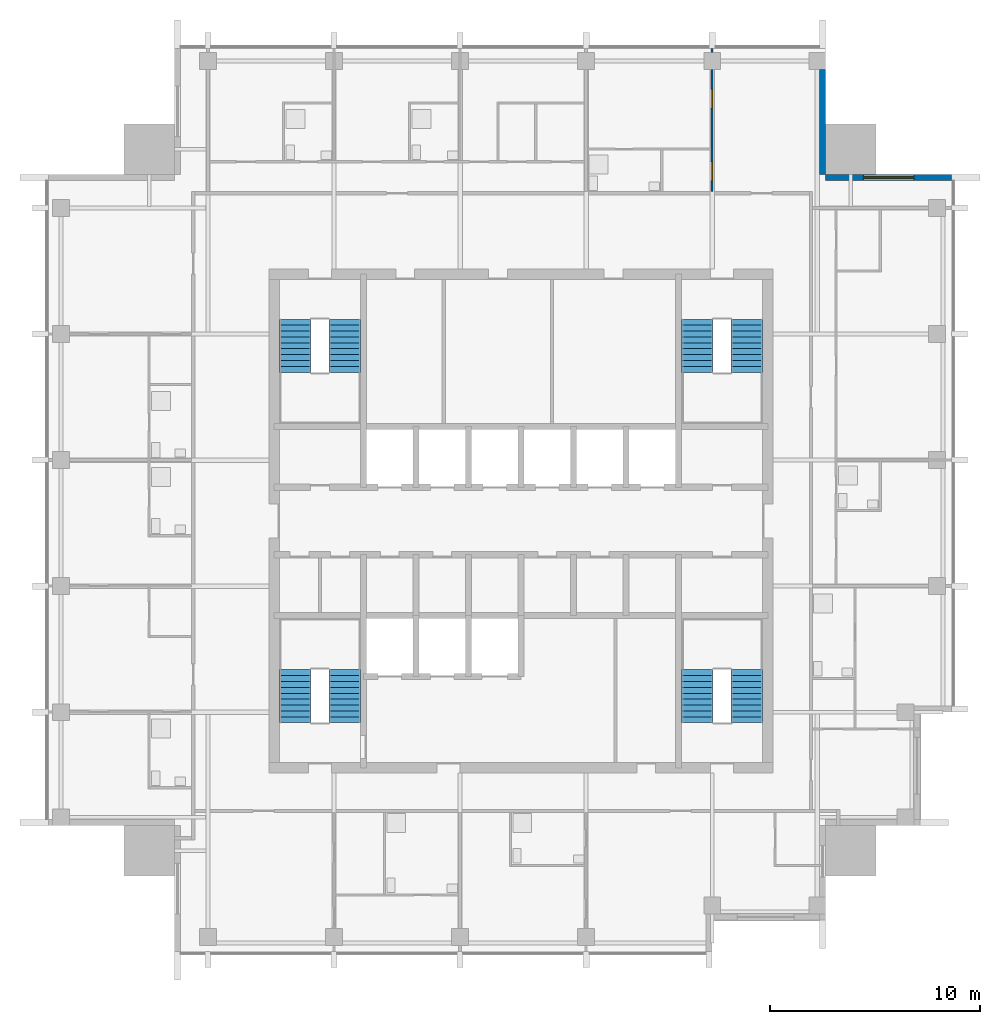
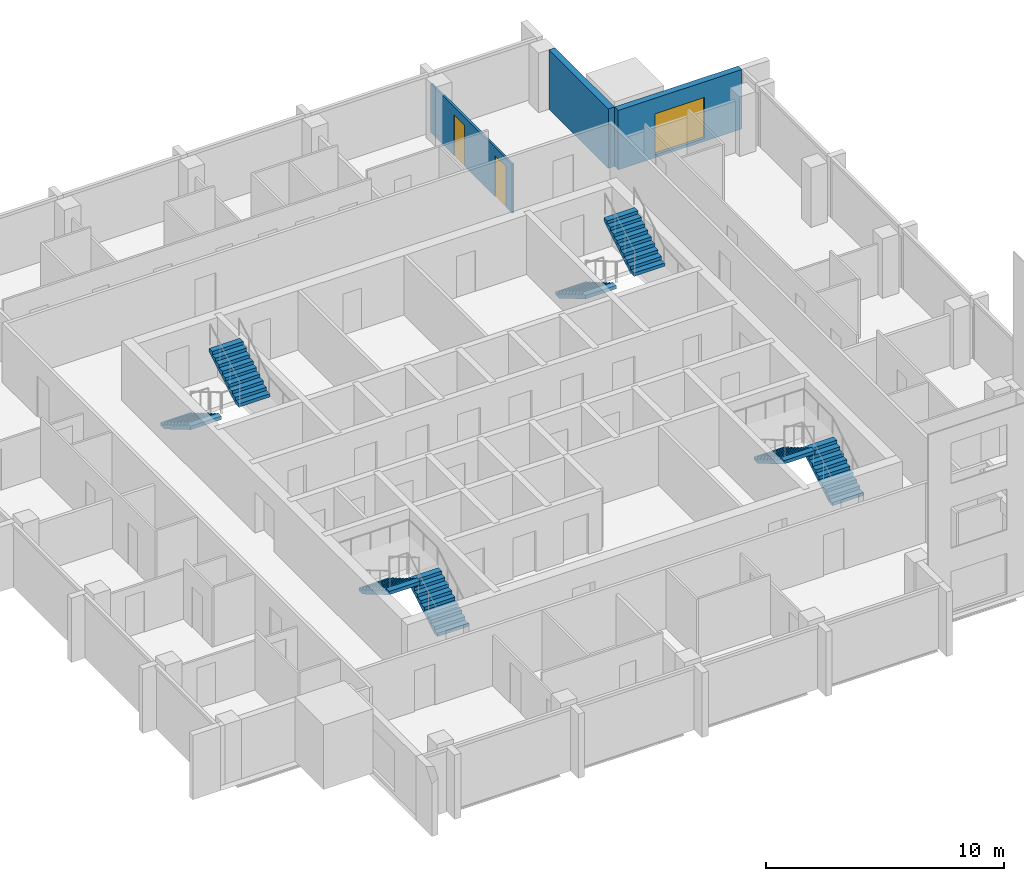
# One storey, part 7 of 9: 8 stair flights, 3 walls, 2 doors, 1 window, 3 openings, 4 elements without a shape of their own.
"""IFC4 building model written with IfcOpenShell, lengths in metres."""

import ifcopenshell
import ifcopenshell.guid

model = None  # the IFC model being written
_history = None  # IfcOwnerHistory: only IFC2X3 demands one
_inside = {}  # id of a spatial element -> (the spatial element, [elements in it])
_under = {}  # id of a project, library or spatial element -> (it, [spatial elements below it])
_declared = {}  # id of a project -> (the project, [libraries it declares])
_typed = {}  # id of a type object -> (the type object, [elements of that type])
_made_of = {}  # id of a material, layer set ... -> (it, [elements and type objects made of it])


def new_model(schema):
    """Start an empty IFC model of exactly this schema.

    Asked for "IFC4X3", IfcOpenShell would pick the latest addendum, in which some entities
    have other attributes; the version numbers below select the first issue.
    IFC2X3 requires an IfcOwnerHistory on every rooted entity: one is made here for all.
    """
    global model, _history
    if schema == "IFC4X3":
        model = ifcopenshell.file(schema_version=(4, 3, 0, 0))
    else:
        model = ifcopenshell.file(schema=schema)
    _inside.clear()
    _under.clear()
    _declared.clear()
    _typed.clear()
    _made_of.clear()
    _history = None
    if model.schema == "IFC2X3":
        org = make("IfcOrganization", Name="unknown")
        user = make(
            "IfcPersonAndOrganization",
            ThePerson=make("IfcPerson", FamilyName="unknown"),
            TheOrganization=org,
        )
        app = make(
            "IfcApplication",
            ApplicationDeveloper=org,
            Version="unknown",
            ApplicationFullName="unknown",
            ApplicationIdentifier="unknown",
        )
        _history = make(
            "IfcOwnerHistory",
            OwningUser=user,
            OwningApplication=app,
            ChangeAction="ADDED",
            CreationDate=0,
        )
    return model


def make(cls, **values):
    """One entity of the class cls with the attributes given. An attribute that is None is left unset."""
    return model.create_entity(
        cls, **{name: value for name, value in values.items() if value is not None}
    )


def rooted(cls, **values):
    """An entity with a GlobalId (a new one), such as an element, a storey or a relation."""
    return make(cls, GlobalId=ifcopenshell.guid.new(), OwnerHistory=_history, **values)


def si_unit(unit_type, name, prefix=None):
    """IfcSIUnit, for example si_unit("LENGTHUNIT", "METRE", prefix="MILLI")."""
    return make("IfcSIUnit", UnitType=unit_type, Prefix=prefix, Name=name)


def assignment(units):
    """IfcUnitAssignment: the units of a project."""
    return None if units is None else make("IfcUnitAssignment", Units=units)


def point(xyz):
    """IfcCartesianPoint."""
    return None if xyz is None else make("IfcCartesianPoint", Coordinates=xyz)


def direction(xyz):
    """IfcDirection."""
    return None if xyz is None else make("IfcDirection", DirectionRatios=xyz)


def frame(location, z_axis=None, x_axis=None):
    """IfcAxis2Placement3D, a coordinate frame: its origin and axes. An axis left out is left unset."""
    return make(
        "IfcAxis2Placement3D",
        Location=point(location),
        Axis=direction(z_axis),
        RefDirection=direction(x_axis),
    )


def frame_2d(location, x_axis=None):
    """IfcAxis2Placement2D, a coordinate frame in the plane: its origin and x axis."""
    return make(
        "IfcAxis2Placement2D", Location=point(location), RefDirection=direction(x_axis)
    )


def origin():
    """The frame at (0, 0, 0) with its axes left unset."""
    return frame((0.0, 0.0, 0.0))


def place(relative_to, where):
    """IfcLocalPlacement: puts the frame where relative to a parent placement (None: the world)."""
    return make(
        "IfcLocalPlacement", PlacementRelTo=relative_to, RelativePlacement=where
    )


def context(
    kind, dimensions, precision=None, world=None, true_north=None, identifier=None
):
    """IfcGeometricRepresentationContext, for example the 3D "Model" context."""
    return make(
        "IfcGeometricRepresentationContext",
        ContextIdentifier=identifier,
        ContextType=kind,
        CoordinateSpaceDimension=dimensions,
        Precision=precision,
        WorldCoordinateSystem=world,
        TrueNorth=true_north,
    )


def subcontext(parent, identifier, kind, view, scale=None):
    """IfcGeometricRepresentationSubContext, for example "Body" below "Model"."""
    return make(
        "IfcGeometricRepresentationSubContext",
        ContextIdentifier=identifier,
        ContextType=kind,
        ParentContext=parent,
        TargetScale=scale,
        TargetView=view,
    )


def project(units=None, contexts=None):
    """IfcProject with its units and contexts."""
    return rooted(
        "IfcProject",
        Name="project",
        RepresentationContexts=contexts,
        UnitsInContext=assignment(units),
    )


def spatial(cls, under=None, at=None, **own):
    """A site, building, storey or space (cls), placed at a placement, below another one or the project."""
    s = rooted(cls, ObjectPlacement=at, **own)
    if under is not None:
        _under.setdefault(under.id(), (under, []))[1].append(s)
    return s


def polyline(points):
    """IfcPolyline through the points."""
    return make("IfcPolyline", Points=[point(p) for p in points])


def profile(cls, at=None, kind="AREA", **sizes):
    """A parametric profile (cls). Its sizes go by their IFC names, for example OverallWidth=200.0."""
    return make(cls, ProfileType=kind, Position=at, **sizes)


def rectangle(**sizes):
    """IfcRectangleProfileDef."""
    return profile("IfcRectangleProfileDef", **sizes)


def outline(outer, holes=None, kind="AREA"):
    """IfcArbitraryClosedProfileDef: a profile drawn as a closed curve; with holes, ...WithVoids."""
    if holes is None:
        return make("IfcArbitraryClosedProfileDef", ProfileType=kind, OuterCurve=outer)
    return make(
        "IfcArbitraryProfileDefWithVoids",
        ProfileType=kind,
        OuterCurve=outer,
        InnerCurves=holes,
    )


def extrude(swept, where, along, depth):
    """IfcExtrudedAreaSolid: the profile swept, set in the frame where, extruded along a direction by depth."""
    return make(
        "IfcExtrudedAreaSolid",
        SweptArea=swept,
        Position=where,
        ExtrudedDirection=direction(along),
        Depth=depth,
    )


def shape(context_of_items, identifier, shape_type, items):
    """IfcShapeRepresentation: the items that make up one representation, for example the "Body"."""
    return make(
        "IfcShapeRepresentation",
        ContextOfItems=context_of_items,
        RepresentationIdentifier=identifier,
        RepresentationType=shape_type,
        Items=items,
    )


def material(Name=None, Category=None):
    """IfcMaterial."""
    return make("IfcMaterial", Name=Name, Category=Category)


def layer(
    of_material, thickness, ventilated=None, Name=None, Category=None, Priority=None
):
    """IfcMaterialLayer: one layer of a wall or slab, of a material (None: an air gap)."""
    return make(
        "IfcMaterialLayer",
        Material=of_material,
        LayerThickness=thickness,
        IsVentilated=ventilated,
        Name=Name,
        Category=Category,
        Priority=Priority,
    )


def layer_set(layers, Name=None):
    """IfcMaterialLayerSet."""
    return make("IfcMaterialLayerSet", MaterialLayers=layers, LayerSetName=Name)


def made_of(thing, what):
    """Note that an element or type object is made of a material, layer set ...; save() writes the relation."""
    if what is not None:
        _made_of.setdefault(what.id(), (what, []))[1].append(thing)
    return thing


def type_object(cls, material=None, **own):
    """A type object (cls), such as IfcWallType, which elements share."""
    return made_of(rooted(cls, **own), material)


def element(
    cls,
    number,
    at=None,
    inside=None,
    cuts=None,
    type_object=None,
    material=None,
    context=None,
    identifier="Body",
    shape_type=None,
    held_by="IfcProductDefinitionShape",
    body=None,
    shapes=None,
    **own,
):
    """One element of the class cls, such as IfcWall. Its Tag is "e" and its number.

    at: its placement. inside: the storey or other place that contains it. cuts: it is an
    opening in that element (IfcRelVoidsElement). A single representation is given by context,
    identifier, shape_type and body (its items); several are given by shapes. held_by: the class
    of the entity that holds the representations. save() writes the other relations.
    """
    e = rooted(cls, Tag="e%d" % number, ObjectPlacement=at, **own)
    if body is not None:
        shapes = [shape(context, identifier, shape_type, body)]
    if shapes is not None:
        e.Representation = make(held_by, Representations=shapes)
    if inside is not None:
        _inside.setdefault(inside.id(), (inside, []))[1].append(e)
    if cuts is not None:
        rooted(
            "IfcRelVoidsElement", RelatingBuildingElement=cuts, RelatedOpeningElement=e
        )
    if type_object is not None:
        _typed.setdefault(type_object.id(), (type_object, []))[1].append(e)
    return made_of(e, material)


def fill(opening, filler):
    """IfcRelFillsElement: the door or window that sits in an opening."""
    return rooted(
        "IfcRelFillsElement",
        RelatingOpeningElement=opening,
        RelatedBuildingElement=filler,
    )


def aggregate(whole, parts):
    """IfcRelAggregates: a whole, such as a stair, and the parts it consists of."""
    return rooted("IfcRelAggregates", RelatingObject=whole, RelatedObjects=parts)


def save(model, path):
    """Write the relations noted so far, then the file.

    IfcRelAggregates (storeys below a building ...), IfcRelContainedInSpatialStructure (elements
    in a storey), IfcRelDefinesByType, IfcRelAssociatesMaterial and IfcRelDeclares: one each for
    every whole, place, type object, material and project.
    """
    for whole, parts in _under.values():
        aggregate(whole, parts)
    for where, things in _inside.values():
        rooted(
            "IfcRelContainedInSpatialStructure",
            RelatedElements=things,
            RelatingStructure=where,
        )
    for kind, things in _typed.values():
        rooted("IfcRelDefinesByType", RelatedObjects=things, RelatingType=kind)
    for what, things in _made_of.values():
        rooted("IfcRelAssociatesMaterial", RelatedObjects=things, RelatingMaterial=what)
    for by, libraries in _declared.values():
        rooted("IfcRelDeclares", RelatingContext=by, RelatedDefinitions=libraries)
    model.write(path)


model = new_model("IFC4")

# Units and contexts
model_context = context("Model", 3, precision=1e-05, world=origin(), true_north=direction((0.0, 1.0)))
body_context = subcontext(model_context, "Body", "Model", "MODEL_VIEW")
ifc_project = project(units=[si_unit("LENGTHUNIT", "METRE"), si_unit("AREAUNIT", "SQUARE_METRE"), si_unit("VOLUMEUNIT", "CUBIC_METRE"), si_unit("PLANEANGLEUNIT", "RADIAN"), si_unit("MASSUNIT", "GRAM", prefix="KILO")], contexts=[model_context])

# Site, building, storey
site_placement = place(None, origin())
site = spatial("IfcSite", under=ifc_project, at=site_placement, CompositionType="ELEMENT")
building_placement = place(site_placement, origin())
building = spatial("IfcBuilding", under=site, at=building_placement, Name="Amberfall Residences", CompositionType="ELEMENT")
storey_placement = place(building_placement, frame((0.0, 0.0, 248.800048828125)))
storey = spatial("IfcBuildingStorey", under=building, at=storey_placement, Name="L66", CompositionType="ELEMENT", Elevation=248.800048828125)

# Wall, opening, window
ifc_material_1 = material(Name="Pale stone cladding on insulated backing", Category="masonry")
ifc_layer_1 = layer(ifc_material_1, 0.300048828125)
ifc_layer_set_1 = layer_set([ifc_layer_1], Name="Bronze clad wall 300")
wall_type_1 = type_object("IfcWallType", Name="Bronze clad wall 300", PredefinedType="SOLIDWALL", material=ifc_layer_set_1)
wall_1_placement = place(storey_placement, frame((95.0, 61.85009765625, 0.0), z_axis=(0.0, 0.0, 1.0), x_axis=(-1.0, 0.0, 0.0)))
wall_1 = element("IfcWall", 1, at=wall_1_placement, inside=storey, type_object=wall_type_1, Name="External wall L66 NE", PredefinedType="SOLIDWALL", context=body_context, shape_type="SweptSolid", body=[
    extrude(rectangle(XDim=6.0, YDim=0.300048828125, at=frame_2d((3.0, 0.0))), origin(), (0.0, 0.0, 1.0), 3.050048828125),
])
opening_1_placement = place(wall_1_placement, frame((1.800048828125, 0.0, 0.14990234375)))
opening_1 = element("IfcOpeningElement", 2, at=opening_1_placement, cuts=wall_1, Name="Opening WN5", PredefinedType="OPENING", context=body_context, shape_type="SweptSolid", body=[
    extrude(rectangle(XDim=2.39990234375, YDim=2.10009765625, at=frame_2d((1.199951171875, 1.050048828125))), frame((0.0, 0.159912109375, 0.0), z_axis=(0.0, -1.0, 0.0), x_axis=(1.0, 0.0, 0.0)), (0.0, 0.0, 1.0), 0.320068359375),
])
ifc_material_2 = material(Name="Bronze aluminium framed glazing", Category="aluminium")
window_type = type_object("IfcWindowType", Name="Glazed opening 2400 x 2100 bronze", PartitioningType="DOUBLE_PANEL_VERTICAL", PredefinedType="WINDOW", material=ifc_material_2)
window_placement = place(opening_1_placement, origin())
window = element("IfcWindow", 3, at=window_placement, inside=storey, type_object=window_type, Name="Window L66 NE", OverallHeight=2.10009765625, OverallWidth=2.39990234375, PartitioningType="DOUBLE_PANEL_VERTICAL", PredefinedType="WINDOW", context=body_context, shape_type="SweptSolid", body=[
    extrude(rectangle(XDim=2.39990234375, YDim=2.10009765625, at=frame_2d((1.199951171875, 1.050048828125))), frame((0.0, 0.030029296875, 0.0), z_axis=(0.0, -1.0, 0.0), x_axis=(1.0, 0.0, 0.0)), (0.0, 0.0, 1.0), 0.06005859375),
])
fill(opening_1, window)

# Wall
wall_2_placement = place(storey_placement, frame((88.85009765625, 62.0, 0.0), z_axis=(0.0, 0.0, 1.0), x_axis=(0.0, 1.0, 0.0)))
element("IfcWall", 4, at=wall_2_placement, inside=storey, type_object=wall_type_1, Name="External wall L66 NE", PredefinedType="SOLIDWALL", context=body_context, shape_type="SweptSolid", body=[
    extrude(rectangle(XDim=5.0, YDim=0.300048828125, at=frame_2d((2.5, 0.0))), origin(), (0.0, 0.0, 1.0), 3.050048828125),
])

# Wall, openings, doors
ifc_material_3 = material(Name="Gypsum board on metal stud")
ifc_layer_2 = layer(ifc_material_3, 0.10009765625)
ifc_layer_set_2 = layer_set([ifc_layer_2], Name="Flat partition 100")
wall_type_2 = type_object("IfcWallType", Name="Flat partition 100", PredefinedType="PARTITIONING", material=ifc_layer_set_2)
wall_3_placement = place(storey_placement, frame((83.60009765625, 61.175048828125, 0.0), z_axis=(0.0, 0.0, 1.0), x_axis=(0.0, 1.0, 0.0)))
wall_3 = element("IfcWall", 5, at=wall_3_placement, inside=storey, type_object=wall_type_2, Name="Partition 015", PredefinedType="PARTITIONING", context=body_context, shape_type="SweptSolid", body=[
    extrude(rectangle(XDim=6.824951171875, YDim=0.10009765625, at=frame_2d((3.41259765625, 0.0))), origin(), (0.0, 0.0, 1.0), 2.515869140625),
])
opening_2_placement = place(wall_3_placement, frame((0.52490234375, 0.0, 0.0)))
opening_2 = element("IfcOpeningElement", 6, at=opening_2_placement, cuts=wall_3, Name="Opening D41", PredefinedType="OPENING", context=body_context, shape_type="SweptSolid", body=[
    extrude(rectangle(XDim=0.89990234375, YDim=2.10009765625, at=frame_2d((0.449951171875, 1.050048828125))), frame((0.0, 0.06005859375, 0.0), z_axis=(0.0, -1.0, 0.0), x_axis=(1.0, 0.0, 0.0)), (0.0, 0.0, 1.0), 0.1201171875),
])
opening_3_placement = place(wall_3_placement, frame((3.97509765625, 0.0, 0.0)))
opening_3 = element("IfcOpeningElement", 7, at=opening_3_placement, cuts=wall_3, Name="Opening D41", PredefinedType="OPENING", context=body_context, shape_type="SweptSolid", body=[
    extrude(rectangle(XDim=0.89990234375, YDim=2.10009765625, at=frame_2d((0.449951171875, 1.050048828125))), frame((0.0, 0.06005859375, 0.0), z_axis=(0.0, -1.0, 0.0), x_axis=(1.0, 0.0, 0.0)), (0.0, 0.0, 1.0), 0.1201171875),
])
ifc_material_4 = material(Name="Timber", Category="wood")
door_type = type_object("IfcDoorType", Name="Internal door 900 x 2100", OperationType="SINGLE_SWING_LEFT", PredefinedType="DOOR", material=ifc_material_4)
door_1_placement = place(opening_2_placement, origin())
door_1 = element("IfcDoor", 8, at=door_1_placement, inside=storey, type_object=door_type, Name="Door 6606 kitchen", OperationType="SINGLE_SWING_LEFT", OverallHeight=2.10009765625, OverallWidth=0.89990234375, PredefinedType="DOOR", context=body_context, shape_type="SweptSolid", body=[
    extrude(rectangle(XDim=0.89990234375, YDim=2.10009765625, at=frame_2d((0.449951171875, 1.050048828125))), frame((0.0, 0.02490234375, 0.0), z_axis=(0.0, -1.0, 0.0), x_axis=(1.0, 0.0, 0.0)), (0.0, 0.0, 1.0), 0.050048828125),
])
fill(opening_2, door_1)
door_2_placement = place(opening_3_placement, origin())
door_2 = element("IfcDoor", 9, at=door_2_placement, inside=storey, type_object=door_type, Name="Door 6606 bedroom1", OperationType="SINGLE_SWING_LEFT", OverallHeight=2.10009765625, OverallWidth=0.89990234375, PredefinedType="DOOR", context=body_context, shape_type="SweptSolid", body=[
    extrude(rectangle(XDim=0.89990234375, YDim=2.10009765625, at=frame_2d((0.449951171875, 1.050048828125))), frame((0.0, 0.02490234375, 0.0), z_axis=(0.0, -1.0, 0.0), x_axis=(1.0, 0.0, 0.0)), (0.0, 0.0, 1.0), 0.050048828125),
])
fill(opening_3, door_2)

# Stair, stair flights
ifc_material_5 = material(Name="Concrete C40", Category="concrete")
stair_type = type_object("IfcStairType", Name="Exit stair 20 risers 165.0 mm", PredefinedType="HALF_TURN_STAIR", material=ifc_material_5)
stair_1_placement = place(storey_placement, origin())
stair_1 = element("IfcStair", 10, at=stair_1_placement, inside=storey, type_object=stair_type, Name="L66 Exit stair 1", PredefinedType="HALF_TURN_STAIR")
stair_flight_type = type_object("IfcStairFlightType", Name="Stair flight 10 risers 165.0 mm", PredefinedType="STRAIGHT", material=ifc_material_5)
stair_flight_1_placement = place(storey_placement, frame((66.10009765625, 35.89990234375, 0.0), z_axis=(0.0, 0.0, 1.0), x_axis=(0.0, 1.0, 0.0)))
stair_flight_1 = element("IfcStairFlight", 11, at=stair_flight_1_placement, type_object=stair_flight_type, Name="ST3 flight 1", NumberOfRisers=10, NumberOfTreads=9, PredefinedType="STRAIGHT", RiserHeight=0.165, TreadLength=0.28, context=body_context, shape_type="SweptSolid", body=[
    extrude(outline(polyline([(0.0, 0.0), (0.0, 0.1650390625), (0.280029296875, 0.1650390625), (0.280029296875, 0.330078125), (0.56005859375, 0.330078125), (0.56005859375, 0.4951171875), (0.840087890625, 0.4951171875), (0.840087890625, 0.659912109375), (1.1201171875, 0.659912109375), (1.1201171875, 0.824951171875), (1.39990234375, 0.824951171875), (1.39990234375, 0.989990234375), (1.679931640625, 0.989990234375), (1.679931640625, 1.155029296875), (1.9599609375, 1.155029296875), (1.9599609375, 1.320068359375), (2.239990234375, 1.320068359375), (2.239990234375, 1.485107421875), (2.52001953125, 1.485107421875), (2.52001953125, 1.64990234375), (2.52001953125, 1.31103515625), (0.295166015625, 0.0), (0.0, 0.0)])), frame((0.0, 0.75, 0.0), z_axis=(0.0, -1.0, 0.0), x_axis=(1.0, 0.0, 0.0)), (0.0, 0.0, 1.0), 1.5),
])
stair_flight_2_placement = place(storey_placement, frame((63.75, 38.419921875, 1.64990234375), z_axis=(0.0, 0.0, 1.0), x_axis=(0.0, -1.0, 0.0)))
stair_flight_2 = element("IfcStairFlight", 12, at=stair_flight_2_placement, type_object=stair_flight_type, Name="ST3 flight 2", NumberOfRisers=10, NumberOfTreads=9, PredefinedType="STRAIGHT", RiserHeight=0.165, TreadLength=0.28, context=body_context, shape_type="SweptSolid", body=[
    extrude(outline(polyline([(0.0, 0.0), (0.0, 0.1650390625), (0.280029296875, 0.1650390625), (0.280029296875, 0.330078125), (0.56005859375, 0.330078125), (0.56005859375, 0.4951171875), (0.840087890625, 0.4951171875), (0.840087890625, 0.659912109375), (1.1201171875, 0.659912109375), (1.1201171875, 0.824951171875), (1.39990234375, 0.824951171875), (1.39990234375, 0.989990234375), (1.679931640625, 0.989990234375), (1.679931640625, 1.155029296875), (1.9599609375, 1.155029296875), (1.9599609375, 1.320068359375), (2.239990234375, 1.320068359375), (2.239990234375, 1.485107421875), (2.52001953125, 1.485107421875), (2.52001953125, 1.64990234375), (2.52001953125, 1.31103515625), (0.295166015625, 0.0), (0.0, 0.0)])), frame((0.0, 0.75, 0.0), z_axis=(0.0, -1.0, 0.0), x_axis=(1.0, 0.0, 0.0)), (0.0, 0.0, 1.0), 1.5),
])
aggregate(stair_1, [stair_flight_1, stair_flight_2])

stair_2_placement = place(storey_placement, origin())
stair_2 = element("IfcStair", 13, at=stair_2_placement, inside=storey, type_object=stair_type, Name="L66 Exit stair 2", PredefinedType="HALF_TURN_STAIR")
stair_flight_3_placement = place(storey_placement, frame((85.25, 35.89990234375, 0.0), z_axis=(0.0, 0.0, 1.0), x_axis=(0.0, 1.0, 0.0)))
stair_flight_3 = element("IfcStairFlight", 14, at=stair_flight_3_placement, type_object=stair_flight_type, Name="ST3 flight 1", NumberOfRisers=10, NumberOfTreads=9, PredefinedType="STRAIGHT", RiserHeight=0.165, TreadLength=0.28, context=body_context, shape_type="SweptSolid", body=[
    extrude(outline(polyline([(0.0, 0.0), (0.0, 0.1650390625), (0.280029296875, 0.1650390625), (0.280029296875, 0.330078125), (0.56005859375, 0.330078125), (0.56005859375, 0.4951171875), (0.840087890625, 0.4951171875), (0.840087890625, 0.659912109375), (1.1201171875, 0.659912109375), (1.1201171875, 0.824951171875), (1.39990234375, 0.824951171875), (1.39990234375, 0.989990234375), (1.679931640625, 0.989990234375), (1.679931640625, 1.155029296875), (1.9599609375, 1.155029296875), (1.9599609375, 1.320068359375), (2.239990234375, 1.320068359375), (2.239990234375, 1.485107421875), (2.52001953125, 1.485107421875), (2.52001953125, 1.64990234375), (2.52001953125, 1.31103515625), (0.295166015625, 0.0), (0.0, 0.0)])), frame((0.0, 0.75, 0.0), z_axis=(0.0, -1.0, 0.0), x_axis=(1.0, 0.0, 0.0)), (0.0, 0.0, 1.0), 1.5),
])
stair_flight_4_placement = place(storey_placement, frame((82.89990234375, 38.419921875, 1.64990234375), z_axis=(0.0, 0.0, 1.0), x_axis=(0.0, -1.0, 0.0)))
stair_flight_4 = element("IfcStairFlight", 15, at=stair_flight_4_placement, type_object=stair_flight_type, Name="ST3 flight 2", NumberOfRisers=10, NumberOfTreads=9, PredefinedType="STRAIGHT", RiserHeight=0.165, TreadLength=0.28, context=body_context, shape_type="SweptSolid", body=[
    extrude(outline(polyline([(0.0, 0.0), (0.0, 0.1650390625), (0.280029296875, 0.1650390625), (0.280029296875, 0.330078125), (0.56005859375, 0.330078125), (0.56005859375, 0.4951171875), (0.840087890625, 0.4951171875), (0.840087890625, 0.659912109375), (1.1201171875, 0.659912109375), (1.1201171875, 0.824951171875), (1.39990234375, 0.824951171875), (1.39990234375, 0.989990234375), (1.679931640625, 0.989990234375), (1.679931640625, 1.155029296875), (1.9599609375, 1.155029296875), (1.9599609375, 1.320068359375), (2.239990234375, 1.320068359375), (2.239990234375, 1.485107421875), (2.52001953125, 1.485107421875), (2.52001953125, 1.64990234375), (2.52001953125, 1.31103515625), (0.295166015625, 0.0), (0.0, 0.0)])), frame((0.0, 0.75, 0.0), z_axis=(0.0, -1.0, 0.0), x_axis=(1.0, 0.0, 0.0)), (0.0, 0.0, 1.0), 1.5),
])
aggregate(stair_2, [stair_flight_3, stair_flight_4])

stair_3_placement = place(storey_placement, origin())
stair_3 = element("IfcStair", 16, at=stair_3_placement, inside=storey, type_object=stair_type, Name="L66 Exit stair 3", PredefinedType="HALF_TURN_STAIR")
stair_flight_5_placement = place(storey_placement, frame((82.89990234375, 55.10009765625, 0.0), z_axis=(0.0, 0.0, 1.0), x_axis=(0.0, -1.0, 0.0)))
stair_flight_5 = element("IfcStairFlight", 17, at=stair_flight_5_placement, type_object=stair_flight_type, Name="ST3 flight 1", NumberOfRisers=10, NumberOfTreads=9, PredefinedType="STRAIGHT", RiserHeight=0.165, TreadLength=0.28, context=body_context, shape_type="SweptSolid", body=[
    extrude(outline(polyline([(0.0, 0.0), (0.0, 0.1650390625), (0.280029296875, 0.1650390625), (0.280029296875, 0.330078125), (0.56005859375, 0.330078125), (0.56005859375, 0.4951171875), (0.840087890625, 0.4951171875), (0.840087890625, 0.659912109375), (1.1201171875, 0.659912109375), (1.1201171875, 0.824951171875), (1.39990234375, 0.824951171875), (1.39990234375, 0.989990234375), (1.679931640625, 0.989990234375), (1.679931640625, 1.155029296875), (1.9599609375, 1.155029296875), (1.9599609375, 1.320068359375), (2.239990234375, 1.320068359375), (2.239990234375, 1.485107421875), (2.52001953125, 1.485107421875), (2.52001953125, 1.64990234375), (2.52001953125, 1.31103515625), (0.295166015625, 0.0), (0.0, 0.0)])), frame((0.0, 0.75, 0.0), z_axis=(0.0, -1.0, 0.0), x_axis=(1.0, 0.0, 0.0)), (0.0, 0.0, 1.0), 1.5),
])
stair_flight_6_placement = place(storey_placement, frame((85.25, 52.580078125, 1.64990234375), z_axis=(0.0, 0.0, 1.0), x_axis=(0.0, 1.0, 0.0)))
stair_flight_6 = element("IfcStairFlight", 18, at=stair_flight_6_placement, type_object=stair_flight_type, Name="ST3 flight 2", NumberOfRisers=10, NumberOfTreads=9, PredefinedType="STRAIGHT", RiserHeight=0.165, TreadLength=0.28, context=body_context, shape_type="SweptSolid", body=[
    extrude(outline(polyline([(0.0, 0.0), (0.0, 0.1650390625), (0.280029296875, 0.1650390625), (0.280029296875, 0.330078125), (0.56005859375, 0.330078125), (0.56005859375, 0.4951171875), (0.840087890625, 0.4951171875), (0.840087890625, 0.659912109375), (1.1201171875, 0.659912109375), (1.1201171875, 0.824951171875), (1.39990234375, 0.824951171875), (1.39990234375, 0.989990234375), (1.679931640625, 0.989990234375), (1.679931640625, 1.155029296875), (1.9599609375, 1.155029296875), (1.9599609375, 1.320068359375), (2.239990234375, 1.320068359375), (2.239990234375, 1.485107421875), (2.52001953125, 1.485107421875), (2.52001953125, 1.64990234375), (2.52001953125, 1.31103515625), (0.295166015625, 0.0), (0.0, 0.0)])), frame((0.0, 0.75, 0.0), z_axis=(0.0, -1.0, 0.0), x_axis=(1.0, 0.0, 0.0)), (0.0, 0.0, 1.0), 1.5),
])
aggregate(stair_3, [stair_flight_5, stair_flight_6])

stair_4_placement = place(storey_placement, origin())
stair_4 = element("IfcStair", 19, at=stair_4_placement, inside=storey, type_object=stair_type, Name="L66 Exit stair 4", PredefinedType="HALF_TURN_STAIR")
stair_flight_7_placement = place(storey_placement, frame((63.75, 55.10009765625, 0.0), z_axis=(0.0, 0.0, 1.0), x_axis=(0.0, -1.0, 0.0)))
stair_flight_7 = element("IfcStairFlight", 20, at=stair_flight_7_placement, type_object=stair_flight_type, Name="ST3 flight 1", NumberOfRisers=10, NumberOfTreads=9, PredefinedType="STRAIGHT", RiserHeight=0.165, TreadLength=0.28, context=body_context, shape_type="SweptSolid", body=[
    extrude(outline(polyline([(0.0, 0.0), (0.0, 0.1650390625), (0.280029296875, 0.1650390625), (0.280029296875, 0.330078125), (0.56005859375, 0.330078125), (0.56005859375, 0.4951171875), (0.840087890625, 0.4951171875), (0.840087890625, 0.659912109375), (1.1201171875, 0.659912109375), (1.1201171875, 0.824951171875), (1.39990234375, 0.824951171875), (1.39990234375, 0.989990234375), (1.679931640625, 0.989990234375), (1.679931640625, 1.155029296875), (1.9599609375, 1.155029296875), (1.9599609375, 1.320068359375), (2.239990234375, 1.320068359375), (2.239990234375, 1.485107421875), (2.52001953125, 1.485107421875), (2.52001953125, 1.64990234375), (2.52001953125, 1.31103515625), (0.295166015625, 0.0), (0.0, 0.0)])), frame((0.0, 0.75, 0.0), z_axis=(0.0, -1.0, 0.0), x_axis=(1.0, 0.0, 0.0)), (0.0, 0.0, 1.0), 1.5),
])
stair_flight_8_placement = place(storey_placement, frame((66.10009765625, 52.580078125, 1.64990234375), z_axis=(0.0, 0.0, 1.0), x_axis=(0.0, 1.0, 0.0)))
stair_flight_8 = element("IfcStairFlight", 21, at=stair_flight_8_placement, type_object=stair_flight_type, Name="ST3 flight 2", NumberOfRisers=10, NumberOfTreads=9, PredefinedType="STRAIGHT", RiserHeight=0.165, TreadLength=0.28, context=body_context, shape_type="SweptSolid", body=[
    extrude(outline(polyline([(0.0, 0.0), (0.0, 0.1650390625), (0.280029296875, 0.1650390625), (0.280029296875, 0.330078125), (0.56005859375, 0.330078125), (0.56005859375, 0.4951171875), (0.840087890625, 0.4951171875), (0.840087890625, 0.659912109375), (1.1201171875, 0.659912109375), (1.1201171875, 0.824951171875), (1.39990234375, 0.824951171875), (1.39990234375, 0.989990234375), (1.679931640625, 0.989990234375), (1.679931640625, 1.155029296875), (1.9599609375, 1.155029296875), (1.9599609375, 1.320068359375), (2.239990234375, 1.320068359375), (2.239990234375, 1.485107421875), (2.52001953125, 1.485107421875), (2.52001953125, 1.64990234375), (2.52001953125, 1.31103515625), (0.295166015625, 0.0), (0.0, 0.0)])), frame((0.0, 0.75, 0.0), z_axis=(0.0, -1.0, 0.0), x_axis=(1.0, 0.0, 0.0)), (0.0, 0.0, 1.0), 1.5),
])
aggregate(stair_4, [stair_flight_7, stair_flight_8])

save(model, "model.ifc")
